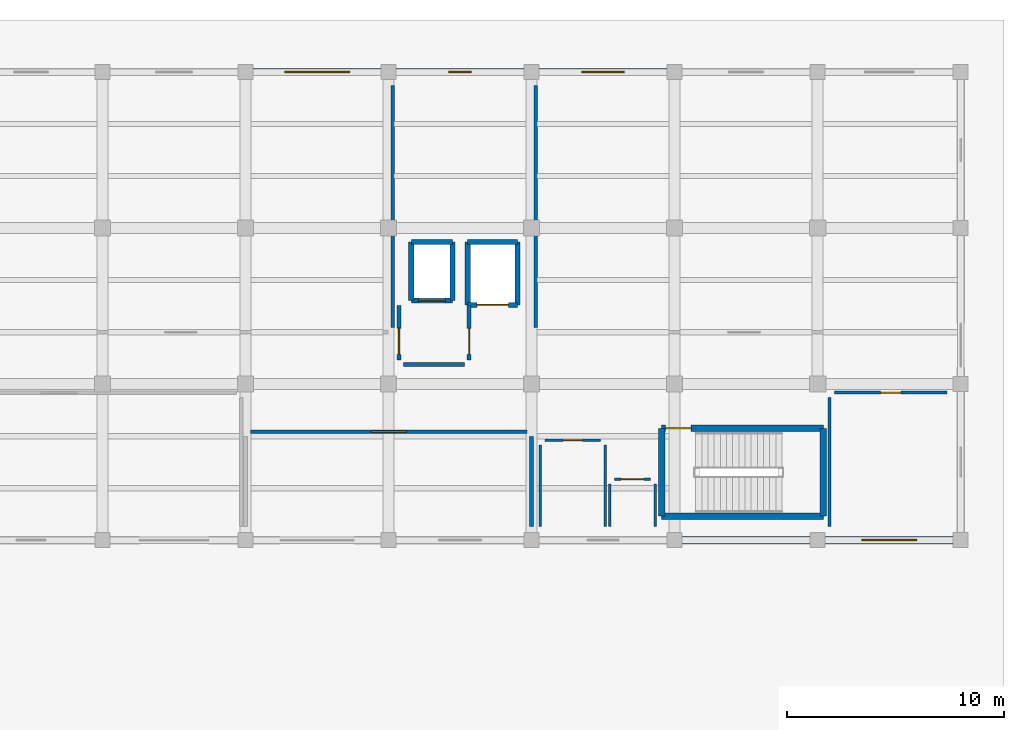
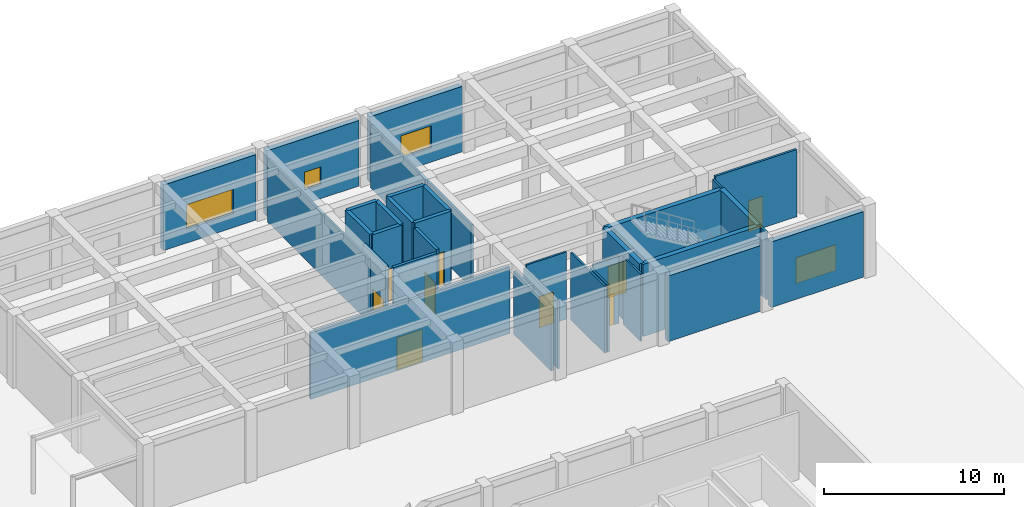
# One storey, part 48 of 57: 32 walls, 9 doors, 4 windows, 13 openings.
"""IFC4 building model written with IfcOpenShell, lengths in metres."""

from ifc_helpers import new_model, si_unit, direction, frame, frame_2d, origin, place, context, subcontext, project, spatial, rectangle, extrude, material, layer, layer_set, type_object, element, fill, save


model = new_model("IFC4")

# Units and contexts
model_context = context("Model", 3, precision=1e-05, world=origin(), true_north=direction((0.0, 1.0)))
body_context = subcontext(model_context, "Body", "Model", "MODEL_VIEW")
ifc_project = project(units=[si_unit("LENGTHUNIT", "METRE"), si_unit("AREAUNIT", "SQUARE_METRE"), si_unit("VOLUMEUNIT", "CUBIC_METRE"), si_unit("PLANEANGLEUNIT", "RADIAN"), si_unit("MASSUNIT", "GRAM", prefix="KILO")], contexts=[model_context])

# Site, building, storey
site_placement = place(None, origin())
site = spatial("IfcSite", under=ifc_project, at=site_placement, CompositionType="ELEMENT")
building_placement = place(site_placement, origin())
building = spatial("IfcBuilding", under=site, at=building_placement, Name="Kharisveld Research Institute", CompositionType="ELEMENT")
storey_placement = place(building_placement, origin())
storey = spatial("IfcBuildingStorey", under=building, at=storey_placement, Name="L00", CompositionType="ELEMENT", Elevation=0.0)

# Walls
ifc_material_1 = material(Name="Concrete C40/50", Category="concrete")
ifc_layer_1 = layer(ifc_material_1, 0.239990234375)
ifc_layer_set_1 = layer_set([ifc_layer_1], Name="WL_CORE_240")
wall_type_1 = type_object("IfcWallType", Name="WL_CORE_240", PredefinedType="SHEAR", material=ifc_layer_set_1)
wall_1_placement = place(storey_placement, frame((135.449951171875, 50.25, 0.0), z_axis=(0.0, 0.0, 1.0), x_axis=(0.0, 1.0, 0.0)))
element("IfcWall", 1, at=wall_1_placement, inside=storey, type_object=wall_type_1, Name="WL:LFT:FFL-02:L00:W", PredefinedType="SHEAR", context=body_context, shape_type="SweptSolid", body=[
    extrude(rectangle(XDim=2.699951171875, YDim=0.239990234375, at=frame_2d((1.35009765625, 0.0))), origin(), (0.0, 0.0, 1.0), 4.8798828125),
])
wall_2_placement = place(storey_placement, frame((135.449951171875, 52.949951171875, 0.0), z_axis=(0.0, 0.0, 1.0), x_axis=(1.0, 0.0, 0.0)))
element("IfcWall", 2, at=wall_2_placement, inside=storey, type_object=wall_type_1, Name="WL:LFT:FFL-02:L00:N", PredefinedType="SHEAR", context=body_context, shape_type="SweptSolid", body=[
    extrude(rectangle(XDim=1.900146484375, YDim=0.239990234375, at=frame_2d((0.9501953125, 0.0))), origin(), (0.0, 0.0, 1.0), 4.8798828125),
])
wall_3_placement = place(storey_placement, frame((137.35009765625, 52.949951171875, 0.0), z_axis=(0.0, 0.0, 1.0), x_axis=(0.0, -1.0, 0.0)))
element("IfcWall", 3, at=wall_3_placement, inside=storey, type_object=wall_type_1, Name="WL:LFT:FFL-02:L00:E", PredefinedType="SHEAR", context=body_context, shape_type="SweptSolid", body=[
    extrude(rectangle(XDim=2.699951171875, YDim=0.239990234375, at=frame_2d((1.35009765625, 0.0))), origin(), (0.0, 0.0, 1.0), 4.8798828125),
])

# Wall, opening, door
wall_4_placement = place(storey_placement, frame((137.35009765625, 50.25, 0.0), z_axis=(0.0, 0.0, 1.0), x_axis=(-1.0, 0.0, 0.0)))
wall_4 = element("IfcWall", 4, at=wall_4_placement, inside=storey, type_object=wall_type_1, Name="WL:LFT:FFL-02:L00:S", PredefinedType="SHEAR", context=body_context, shape_type="SweptSolid", body=[
    extrude(rectangle(XDim=1.900146484375, YDim=0.239990234375, at=frame_2d((0.9501953125, 0.0))), origin(), (0.0, 0.0, 1.0), 4.8798828125),
])
opening_1_placement = place(wall_4_placement, frame((0.324951171875, 0.0, 0.0)))
opening_1 = element("IfcOpeningElement", 5, at=opening_1_placement, cuts=wall_4, Name="Opening LD-02", PredefinedType="OPENING", context=body_context, shape_type="SweptSolid", body=[
    extrude(rectangle(XDim=1.25, YDim=2.199951171875, at=frame_2d((0.625, 1.10009765625))), frame((0.0, 0.1201171875, 0.0), z_axis=(0.0, -1.0, 0.0), x_axis=(1.0, 0.0, 0.0)), (0.0, 0.0, 1.0), 0.239990234375),
])
ifc_material_2 = material(Name="Flush Painted Hardwood and Anodised Aluminium", Category="wood")
door_type_1 = type_object("IfcDoorType", Name="DR_LFT_125", OperationType="SLIDING_TO_RIGHT", PredefinedType="DOOR", material=ifc_material_2)
door_1_placement = place(opening_1_placement, origin())
door_1 = element("IfcDoor", 6, at=door_1_placement, inside=storey, type_object=door_type_1, Name="FFL-02 Lift Landing Door L00", OperationType="SLIDING_TO_RIGHT", OverallHeight=2.199951171875, OverallWidth=1.25, PredefinedType="DOOR", context=body_context, shape_type="SweptSolid", body=[
    extrude(rectangle(XDim=1.25, YDim=2.199951171875, at=frame_2d((0.625, 1.10009765625))), frame((0.0, 0.02490234375, 0.0), z_axis=(0.0, -1.0, 0.0), x_axis=(1.0, 0.0, 0.0)), (0.0, 0.0, 1.0), 0.050048828125),
])
fill(opening_1, door_1)

# Walls
wall_5_placement = place(storey_placement, frame((138.050048828125, 50.050048828125, 0.0), z_axis=(0.0, 0.0, 1.0), x_axis=(0.0, 1.0, 0.0)))
element("IfcWall", 7, at=wall_5_placement, inside=storey, type_object=wall_type_1, Name="WL:LFT:GL-01:L00:W", PredefinedType="SHEAR", context=body_context, shape_type="SweptSolid", body=[
    extrude(rectangle(XDim=2.89990234375, YDim=0.239990234375, at=frame_2d((1.449951171875, 0.0))), origin(), (0.0, 0.0, 1.0), 4.8798828125),
])
wall_6_placement = place(storey_placement, frame((138.050048828125, 52.949951171875, 0.0), z_axis=(0.0, 0.0, 1.0), x_axis=(1.0, 0.0, 0.0)))
element("IfcWall", 8, at=wall_6_placement, inside=storey, type_object=wall_type_1, Name="WL:LFT:GL-01:L00:N", PredefinedType="SHEAR", context=body_context, shape_type="SweptSolid", body=[
    extrude(rectangle(XDim=2.300048828125, YDim=0.239990234375, at=frame_2d((1.14990234375, 0.0))), origin(), (0.0, 0.0, 1.0), 4.8798828125),
])
wall_7_placement = place(storey_placement, frame((140.35009765625, 52.949951171875, 0.0), z_axis=(0.0, 0.0, 1.0), x_axis=(0.0, -1.0, 0.0)))
element("IfcWall", 9, at=wall_7_placement, inside=storey, type_object=wall_type_1, Name="WL:LFT:GL-01:L00:E", PredefinedType="SHEAR", context=body_context, shape_type="SweptSolid", body=[
    extrude(rectangle(XDim=2.89990234375, YDim=0.239990234375, at=frame_2d((1.449951171875, 0.0))), origin(), (0.0, 0.0, 1.0), 4.8798828125),
])

# Wall, opening, door
wall_8_placement = place(storey_placement, frame((140.35009765625, 50.050048828125, 0.0), z_axis=(0.0, 0.0, 1.0), x_axis=(-1.0, 0.0, 0.0)))
wall_8 = element("IfcWall", 10, at=wall_8_placement, inside=storey, type_object=wall_type_1, Name="WL:LFT:GL-01:L00:S", PredefinedType="SHEAR", context=body_context, shape_type="SweptSolid", body=[
    extrude(rectangle(XDim=2.300048828125, YDim=0.239990234375, at=frame_2d((1.14990234375, 0.0))), origin(), (0.0, 0.0, 1.0), 4.8798828125),
])
opening_2_placement = place(wall_8_placement, frame((0.425048828125, 0.0, 0.0)))
opening_2 = element("IfcOpeningElement", 11, at=opening_2_placement, cuts=wall_8, Name="Opening LD-03", PredefinedType="OPENING", context=body_context, shape_type="SweptSolid", body=[
    extrude(rectangle(XDim=1.449951171875, YDim=2.300048828125, at=frame_2d((0.72509765625, 1.14990234375))), frame((0.0, 0.1201171875, 0.0), z_axis=(0.0, -1.0, 0.0), x_axis=(1.0, 0.0, 0.0)), (0.0, 0.0, 1.0), 0.239990234375),
])
ifc_material_3 = material(Name="Flush Painted Hardwood and Anodised Aluminium", Category="wood")
door_type_2 = type_object("IfcDoorType", Name="DR_LFT_145", OperationType="DOUBLE_DOOR_SLIDING", PredefinedType="DOOR", material=ifc_material_3)
door_2_placement = place(opening_2_placement, origin())
door_2 = element("IfcDoor", 12, at=door_2_placement, inside=storey, type_object=door_type_2, Name="GL-01 Lift Landing Door L00", OperationType="DOUBLE_DOOR_SLIDING", OverallHeight=2.300048828125, OverallWidth=1.449951171875, PredefinedType="DOOR", context=body_context, shape_type="SweptSolid", body=[
    extrude(rectangle(XDim=1.449951171875, YDim=2.300048828125, at=frame_2d((0.72509765625, 1.14990234375))), frame((0.0, 0.02490234375, 0.0), z_axis=(0.0, -1.0, 0.0), x_axis=(1.0, 0.0, 0.0)), (0.0, 0.0, 1.0), 0.050048828125),
])
fill(opening_2, door_2)

# Wall
ifc_material_4 = material(Name="Concrete C40/50", Category="concrete")
ifc_layer_2 = layer(ifc_material_4, 0.300048828125)
ifc_layer_set_2 = layer_set([ifc_layer_2], Name="WL_CORE_300")
wall_type_2 = type_object("IfcWallType", Name="WL_CORE_300", PredefinedType="SHEAR", material=ifc_layer_set_2)
wall_9_placement = place(storey_placement, frame((147.0, 40.300048828125, 0.0), z_axis=(0.0, 0.0, 1.0), x_axis=(0.0, 1.0, 0.0)))
element("IfcWall", 13, at=wall_9_placement, inside=storey, type_object=wall_type_2, Name="WL:STR:ST3:L00:W", PredefinedType="SHEAR", context=body_context, shape_type="SweptSolid", body=[
    extrude(rectangle(XDim=4.06005859375, YDim=0.300048828125, at=frame_2d((2.030029296875, 0.0))), origin(), (0.0, 0.0, 1.0), 4.8798828125),
])

# Wall, opening, door
wall_10_placement = place(storey_placement, frame((147.0, 44.360107421875, 0.0), z_axis=(0.0, 0.0, 1.0), x_axis=(1.0, 0.0, 0.0)))
wall_10 = element("IfcWall", 14, at=wall_10_placement, inside=storey, type_object=wall_type_2, Name="WL:STR:ST3:L00:N", PredefinedType="SHEAR", context=body_context, shape_type="SweptSolid", body=[
    extrude(rectangle(XDim=7.469970703125, YDim=0.300048828125, at=frame_2d((3.73486328125, 0.0))), origin(), (0.0, 0.0, 1.0), 4.8798828125),
])
opening_3_placement = place(wall_10_placement, frame((0.179931640625, 0.0, 0.0)))
opening_3 = element("IfcOpeningElement", 15, at=opening_3_placement, cuts=wall_10, Name="Opening DS-028", PredefinedType="OPENING", context=body_context, shape_type="SweptSolid", body=[
    extrude(rectangle(XDim=1.179931640625, YDim=2.14990234375, at=frame_2d((0.58984375, 1.074951171875))), frame((0.0, 0.14990234375, 0.0), z_axis=(0.0, -1.0, 0.0), x_axis=(1.0, 0.0, 0.0)), (0.0, 0.0, 1.0), 0.300048828125),
])
ifc_material_5 = material(Name="Flush Painted Hardwood and Anodised Aluminium", Category="wood")
door_type_3 = type_object("IfcDoorType", Name="DR_FD60_118", OperationType="NOTDEFINED", PredefinedType="DOOR", material=ifc_material_5)
door_3_placement = place(opening_3_placement, origin())
door_3 = element("IfcDoor", 16, at=door_3_placement, inside=storey, type_object=door_type_3, Name="DR:STR:ST3:L00", OperationType="SINGLE_SWING_LEFT", OverallHeight=2.14990234375, OverallWidth=1.179931640625, PredefinedType="DOOR", context=body_context, shape_type="SweptSolid", body=[
    extrude(rectangle(XDim=1.179931640625, YDim=2.14990234375, at=frame_2d((0.58984375, 1.074951171875))), frame((0.0, 0.02490234375, 0.0), z_axis=(0.0, -1.0, 0.0), x_axis=(1.0, 0.0, 0.0)), (0.0, 0.0, 1.0), 0.050048828125),
])
fill(opening_3, door_3)

# Walls
wall_11_placement = place(storey_placement, frame((154.469970703125, 44.360107421875, 0.0), z_axis=(0.0, 0.0, 1.0), x_axis=(0.0, -1.0, 0.0)))
element("IfcWall", 17, at=wall_11_placement, inside=storey, type_object=wall_type_2, Name="WL:STR:ST3:L00:E", PredefinedType="SHEAR", context=body_context, shape_type="SweptSolid", body=[
    extrude(rectangle(XDim=4.06005859375, YDim=0.300048828125, at=frame_2d((2.030029296875, 0.0))), origin(), (0.0, 0.0, 1.0), 4.8798828125),
])
wall_12_placement = place(storey_placement, frame((154.469970703125, 40.300048828125, 0.0), z_axis=(0.0, 0.0, 1.0), x_axis=(-1.0, 0.0, 0.0)))
element("IfcWall", 18, at=wall_12_placement, inside=storey, type_object=wall_type_2, Name="WL:STR:ST3:L00:S", PredefinedType="SHEAR", context=body_context, shape_type="SweptSolid", body=[
    extrude(rectangle(XDim=7.469970703125, YDim=0.300048828125, at=frame_2d((3.73486328125, 0.0))), origin(), (0.0, 0.0, 1.0), 4.8798828125),
])

# Wall, opening, window
ifc_material_6 = material(Name="Concrete C35/45", Category="concrete")
ifc_layer_3 = layer(ifc_material_6, 0.340087890625)
ifc_layer_set_3 = layer_set([ifc_layer_3], Name="WL_EXT_340")
wall_type_3 = type_object("IfcWallType", Name="WL_EXT_340", PredefinedType="SOLIDWALL", material=ifc_layer_set_3)
wall_13_placement = place(storey_placement, frame((128.14501953125, 60.800048828125, 0.0), z_axis=(0.0, 0.0, 1.0), x_axis=(1.0, 0.0, 0.0)))
wall_13 = element("IfcWall", 19, at=wall_13_placement, inside=storey, type_object=wall_type_3, Name="WL:V2:L00:N2", PredefinedType="SOLIDWALL", context=body_context, shape_type="SweptSolid", body=[
    extrude(rectangle(XDim=5.909912109375, YDim=0.340087890625, at=frame_2d((2.955078125, 0.0))), origin(), (0.0, 0.0, 1.0), 4.43505859375),
])
opening_4_placement = place(wall_13_placement, frame((1.455078125, 0.0, 0.949951171875)))
opening_4 = element("IfcOpeningElement", 20, at=opening_4_placement, cuts=wall_13, Name="Opening WN-10", PredefinedType="OPENING", context=body_context, shape_type="SweptSolid", body=[
    extrude(rectangle(XDim=3.0, YDim=1.64990234375, at=frame_2d((1.5, 0.824951171875))), frame((0.0, 0.169921875, 0.0), z_axis=(0.0, -1.0, 0.0), x_axis=(1.0, 0.0, 0.0)), (0.0, 0.0, 1.0), 0.340087890625),
])
ifc_material_7 = material(Name="Low-E Double Glazing", Category="glass")
window_type_1 = type_object("IfcWindowType", Name="WN_10", PartitioningType="TRIPLE_PANEL_VERTICAL", PredefinedType="WINDOW", material=ifc_material_7)
window_1_placement = place(opening_4_placement, origin())
window_1 = element("IfcWindow", 21, at=window_1_placement, inside=storey, type_object=window_type_1, Name="WN:V2:L00:N2", OverallHeight=1.64990234375, OverallWidth=3.0, PartitioningType="SINGLE_PANEL", PredefinedType="WINDOW", context=body_context, shape_type="SweptSolid", body=[
    extrude(rectangle(XDim=3.0, YDim=1.64990234375, at=frame_2d((1.5, 0.824951171875))), frame((0.0, 0.030029296875, 0.0), z_axis=(0.0, -1.0, 0.0), x_axis=(1.0, 0.0, 0.0)), (0.0, 0.0, 1.0), 0.06005859375),
])
fill(opening_4, window_1)

wall_14_placement = place(storey_placement, frame((134.7451171875, 60.800048828125, 0.0), z_axis=(0.0, 0.0, 1.0), x_axis=(1.0, 0.0, 0.0)))
wall_14 = element("IfcWall", 22, at=wall_14_placement, inside=storey, type_object=wall_type_3, Name="WL:V2:L00:N3", PredefinedType="SOLIDWALL", context=body_context, shape_type="SweptSolid", body=[
    extrude(rectangle(XDim=5.909912109375, YDim=0.340087890625, at=frame_2d((2.955078125, 0.0))), origin(), (0.0, 0.0, 1.0), 4.43505859375),
])
opening_5_placement = place(wall_14_placement, frame((2.429931640625, 0.0, 0.949951171875)))
opening_5 = element("IfcOpeningElement", 23, at=opening_5_placement, cuts=wall_14, Name="Opening WN-11", PredefinedType="OPENING", context=body_context, shape_type="SweptSolid", body=[
    extrude(rectangle(XDim=1.050048828125, YDim=1.199951171875, at=frame_2d((0.52490234375, 0.60009765625))), frame((0.0, 0.169921875, 0.0), z_axis=(0.0, -1.0, 0.0), x_axis=(1.0, 0.0, 0.0)), (0.0, 0.0, 1.0), 0.340087890625),
])
ifc_material_8 = material(Name="Low-E Double Glazing", Category="glass")
window_type_2 = type_object("IfcWindowType", Name="WN_11", PartitioningType="SINGLE_PANEL", PredefinedType="WINDOW", material=ifc_material_8)
window_2_placement = place(opening_5_placement, origin())
window_2 = element("IfcWindow", 24, at=window_2_placement, inside=storey, type_object=window_type_2, Name="WN:V2:L00:N3", OverallHeight=1.199951171875, OverallWidth=1.050048828125, PartitioningType="SINGLE_PANEL", PredefinedType="WINDOW", context=body_context, shape_type="SweptSolid", body=[
    extrude(rectangle(XDim=1.050048828125, YDim=1.199951171875, at=frame_2d((0.52490234375, 0.60009765625))), frame((0.0, 0.030029296875, 0.0), z_axis=(0.0, -1.0, 0.0), x_axis=(1.0, 0.0, 0.0)), (0.0, 0.0, 1.0), 0.06005859375),
])
fill(opening_5, window_2)

wall_15_placement = place(storey_placement, frame((141.344970703125, 60.800048828125, 0.0), z_axis=(0.0, 0.0, 1.0), x_axis=(1.0, 0.0, 0.0)))
wall_15 = element("IfcWall", 25, at=wall_15_placement, inside=storey, type_object=wall_type_3, Name="WL:V2:L00:N4", PredefinedType="SOLIDWALL", context=body_context, shape_type="SweptSolid", body=[
    extrude(rectangle(XDim=5.909912109375, YDim=0.340087890625, at=frame_2d((2.955078125, 0.0))), origin(), (0.0, 0.0, 1.0), 4.43505859375),
])
opening_6_placement = place(wall_15_placement, frame((1.97998046875, 0.0, 0.949951171875)))
opening_6 = element("IfcOpeningElement", 26, at=opening_6_placement, cuts=wall_15, Name="Opening WN-12", PredefinedType="OPENING", context=body_context, shape_type="SweptSolid", body=[
    extrude(rectangle(XDim=1.949951171875, YDim=1.5, at=frame_2d((0.97509765625, 0.75))), frame((0.0, 0.169921875, 0.0), z_axis=(0.0, -1.0, 0.0), x_axis=(1.0, 0.0, 0.0)), (0.0, 0.0, 1.0), 0.340087890625),
])
ifc_material_9 = material(Name="Low-E Double Glazing", Category="glass")
window_type_3 = type_object("IfcWindowType", Name="WN_12", PartitioningType="DOUBLE_PANEL_VERTICAL", PredefinedType="WINDOW", material=ifc_material_9)
window_3_placement = place(opening_6_placement, origin())
window_3 = element("IfcWindow", 27, at=window_3_placement, inside=storey, type_object=window_type_3, Name="WN:V2:L00:N4", OverallHeight=1.5, OverallWidth=1.949951171875, PartitioningType="SINGLE_PANEL", PredefinedType="WINDOW", context=body_context, shape_type="SweptSolid", body=[
    extrude(rectangle(XDim=1.949951171875, YDim=1.5, at=frame_2d((0.97509765625, 0.75))), frame((0.0, 0.030029296875, 0.0), z_axis=(0.0, -1.0, 0.0), x_axis=(1.0, 0.0, 0.0)), (0.0, 0.0, 1.0), 0.06005859375),
])
fill(opening_6, window_3)

wall_16_placement = place(storey_placement, frame((160.455078125, 39.199951171875, 0.0), z_axis=(0.0, 0.0, 1.0), x_axis=(-1.0, 0.0, 0.0)))
wall_16 = element("IfcWall", 28, at=wall_16_placement, inside=storey, type_object=wall_type_3, Name="WL:V2:L00:S7", PredefinedType="SOLIDWALL", context=body_context, shape_type="SweptSolid", body=[
    extrude(rectangle(XDim=5.91015625, YDim=0.340087890625, at=frame_2d((2.955078125, 0.0))), origin(), (0.0, 0.0, 1.0), 4.43505859375),
])
opening_7_placement = place(wall_16_placement, frame((1.679931640625, 0.0, 0.949951171875)))
opening_7 = element("IfcOpeningElement", 29, at=opening_7_placement, cuts=wall_16, Name="Opening WN-15", PredefinedType="OPENING", context=body_context, shape_type="SweptSolid", body=[
    extrude(rectangle(XDim=2.550048828125, YDim=1.75, at=frame_2d((1.27490234375, 0.875))), frame((0.0, 0.169921875, 0.0), z_axis=(0.0, -1.0, 0.0), x_axis=(1.0, 0.0, 0.0)), (0.0, 0.0, 1.0), 0.340087890625),
])
ifc_material_10 = material(Name="Low-E Double Glazing", Category="glass")
window_type_4 = type_object("IfcWindowType", Name="WN_15", PartitioningType="TRIPLE_PANEL_VERTICAL", PredefinedType="WINDOW", material=ifc_material_10)
window_4_placement = place(opening_7_placement, origin())
window_4 = element("IfcWindow", 30, at=window_4_placement, inside=storey, type_object=window_type_4, Name="WN:V2:L00:S7", OverallHeight=1.75, OverallWidth=2.550048828125, PartitioningType="SINGLE_PANEL", PredefinedType="WINDOW", context=body_context, shape_type="SweptSolid", body=[
    extrude(rectangle(XDim=2.550048828125, YDim=1.75, at=frame_2d((1.27490234375, 0.875))), frame((0.0, 0.030029296875, 0.0), z_axis=(0.0, -1.0, 0.0), x_axis=(1.0, 0.0, 0.0)), (0.0, 0.0, 1.0), 0.06005859375),
])
fill(opening_7, window_4)

# Walls
wall_17_placement = place(storey_placement, frame((153.85498046875, 39.199951171875, 0.0), z_axis=(0.0, 0.0, 1.0), x_axis=(-1.0, 0.0, 0.0)))
element("IfcWall", 31, at=wall_17_placement, inside=storey, type_object=wall_type_3, Name="WL:V2:L00:S6", PredefinedType="SOLIDWALL", context=body_context, shape_type="SweptSolid", body=[
    extrude(rectangle(XDim=5.909912109375, YDim=0.340087890625, at=frame_2d((2.955078125, 0.0))), origin(), (0.0, 0.0, 1.0), 4.43505859375),
])
ifc_material_11 = material(Name="Acoustic Drywall Partition", Category="mineral")
ifc_layer_4 = layer(ifc_material_11, 0.1650390625)
ifc_layer_set_4 = layer_set([ifc_layer_4], Name="WL_LAB_165")
wall_type_4 = type_object("IfcWallType", Name="WL_LAB_165", PredefinedType="PARTITIONING", material=ifc_layer_set_4)
for number, where, z_axis, x_axis, name in (
    (32, (134.60009765625, 49.02001953125, 0.0), (0.0, 0.0, 1.0), (0.0, 1.0, 0.0), "WL:RM:V2:L00:WL0A:E"),
    (33, (141.199951171875, 60.179931640625, 0.0), (0.0, 0.0, 1.0), (0.0, -1.0, 0.0), "WL:RM:V2:L00:WL0B:W"),
):
    element("IfcWall", number, at=place(storey_placement, frame(where, z_axis=z_axis, x_axis=x_axis)), inside=storey, type_object=wall_type_4, Name=name, PredefinedType="PARTITIONING", context=body_context, shape_type="SweptSolid", body=[
        extrude(rectangle(XDim=11.159912109375, YDim=0.1650390625, at=frame_2d((5.580078125, 0.0))), origin(), (0.0, 0.0, 1.0), 4.235107421875),
    ])
ifc_material_12 = material(Name="Masonry Blockwork", Category="masonry")
ifc_layer_5 = layer(ifc_material_12, 0.18505859375)
ifc_layer_set_5 = layer_set([ifc_layer_5], Name="WL_LOB_185")
wall_type_5 = type_object("IfcWallType", Name="WL_LOB_185", PredefinedType="SOLIDWALL", material=ifc_layer_set_5)
wall_18_placement = place(storey_placement, frame((135.10009765625, 47.300048828125, 0.0), z_axis=(0.0, 0.0, 1.0), x_axis=(1.0, 0.0, 0.0)))
element("IfcWall", 34, at=wall_18_placement, inside=storey, type_object=wall_type_5, Name="WL:RM:V2:L00:FFL:S", PredefinedType="SOLIDWALL", context=body_context, shape_type="SweptSolid", body=[
    extrude(rectangle(XDim=2.7998046875, YDim=0.18505859375, at=frame_2d((1.39990234375, 0.0))), origin(), (0.0, 0.0, 1.0), 4.550048828125),
])

# Wall, opening, door
wall_19_placement = place(storey_placement, frame((138.1201171875, 47.52001953125, 0.0), z_axis=(0.0, 0.0, 1.0), x_axis=(0.0, 1.0, 0.0)))
wall_19 = element("IfcWall", 35, at=wall_19_placement, inside=storey, type_object=wall_type_5, Name="WL:RM:V2:L00:FFL:E", PredefinedType="SOLIDWALL", context=body_context, shape_type="SweptSolid", body=[
    extrude(rectangle(XDim=2.510009765625, YDim=0.18505859375, at=frame_2d((1.2548828125, 0.0))), origin(), (0.0, 0.0, 1.0), 4.550048828125),
])
opening_8_placement = place(wall_19_placement, frame((0.25, 0.0, 0.0)))
opening_8 = element("IfcOpeningElement", 36, at=opening_8_placement, cuts=wall_19, Name="Opening DI-184", PredefinedType="OPENING", context=body_context, shape_type="SweptSolid", body=[
    extrude(rectangle(XDim=1.199951171875, YDim=2.14990234375, at=frame_2d((0.60009765625, 1.074951171875))), frame((0.0, 0.092529296875, 0.0), z_axis=(0.0, -1.0, 0.0), x_axis=(1.0, 0.0, 0.0)), (0.0, 0.0, 1.0), 0.18505859375),
])
ifc_material_13 = material(Name="Flush Painted Hardwood and Anodised Aluminium", Category="wood")
door_type_4 = type_object("IfcDoorType", Name="DR_FD120_120", OperationType="NOTDEFINED", PredefinedType="DOOR", material=ifc_material_13)
door_4_placement = place(opening_8_placement, origin())
door_4 = element("IfcDoor", 37, at=door_4_placement, inside=storey, type_object=door_type_4, Name="DR:RM:V2:L00:FFL:E", OperationType="SINGLE_SWING_RIGHT", OverallHeight=2.14990234375, OverallWidth=1.199951171875, PredefinedType="DOOR", context=body_context, shape_type="SweptSolid", body=[
    extrude(rectangle(XDim=1.199951171875, YDim=2.14990234375, at=frame_2d((0.60009765625, 1.074951171875))), frame((0.0, 0.02490234375, 0.0), z_axis=(0.0, -1.0, 0.0), x_axis=(1.0, 0.0, 0.0)), (0.0, 0.0, 1.0), 0.050048828125),
])
fill(opening_8, door_4)

wall_20_placement = place(storey_placement, frame((134.8798828125, 50.030029296875, 0.0), z_axis=(0.0, 0.0, 1.0), x_axis=(0.0, -1.0, 0.0)))
wall_20 = element("IfcWall", 38, at=wall_20_placement, inside=storey, type_object=wall_type_5, Name="WL:RM:V2:L00:FFL:W", PredefinedType="SOLIDWALL", context=body_context, shape_type="SweptSolid", body=[
    extrude(rectangle(XDim=2.510009765625, YDim=0.18505859375, at=frame_2d((1.2548828125, 0.0))), origin(), (0.0, 0.0, 1.0), 4.550048828125),
])
opening_9_placement = place(wall_20_placement, frame((1.06005859375, 0.0, 0.0)))
opening_9 = element("IfcOpeningElement", 39, at=opening_9_placement, cuts=wall_20, Name="Opening DI-185", PredefinedType="OPENING", context=body_context, shape_type="SweptSolid", body=[
    extrude(rectangle(XDim=1.199951171875, YDim=2.14990234375, at=frame_2d((0.60009765625, 1.074951171875))), frame((0.0, 0.092529296875, 0.0), z_axis=(0.0, -1.0, 0.0), x_axis=(1.0, 0.0, 0.0)), (0.0, 0.0, 1.0), 0.18505859375),
])
door_5_placement = place(opening_9_placement, origin())
door_5 = element("IfcDoor", 40, at=door_5_placement, inside=storey, type_object=door_type_4, Name="DR:RM:V2:L00:FFL:W", OperationType="SINGLE_SWING_LEFT", OverallHeight=2.14990234375, OverallWidth=1.199951171875, PredefinedType="DOOR", context=body_context, shape_type="SweptSolid", body=[
    extrude(rectangle(XDim=1.199951171875, YDim=2.14990234375, at=frame_2d((0.60009765625, 1.074951171875))), frame((0.0, 0.02490234375, 0.0), z_axis=(0.0, -1.0, 0.0), x_axis=(1.0, 0.0, 0.0)), (0.0, 0.0, 1.0), 0.050048828125),
])
fill(opening_9, door_5)

ifc_material_14 = material(Name="Insulated Stud Partition", Category="mineral")
ifc_layer_6 = layer(ifc_material_14, 0.139892578125)
ifc_layer_set_6 = layer_set([ifc_layer_6], Name="WL_OFF_140")
wall_type_6 = type_object("IfcWallType", Name="WL_OFF_140", PredefinedType="PARTITIONING", material=ifc_layer_set_6)
wall_21_placement = place(storey_placement, frame((160.179931640625, 46.0, 0.0), z_axis=(0.0, 0.0, 1.0), x_axis=(-1.0, 0.0, 0.0)))
wall_21 = element("IfcWall", 41, at=wall_21_placement, inside=storey, type_object=wall_type_6, Name="WL:RM:V2:L00:WU0W:N", PredefinedType="PARTITIONING", context=body_context, shape_type="SweptSolid", body=[
    extrude(rectangle(XDim=5.2099609375, YDim=0.139892578125, at=frame_2d((2.60498046875, 0.0))), origin(), (0.0, 0.0, 1.0), 4.550048828125),
])
opening_10_placement = place(wall_21_placement, frame((2.135009765625, 0.0, 0.0)))
opening_10 = element("IfcOpeningElement", 42, at=opening_10_placement, cuts=wall_21, Name="Opening DI-192", PredefinedType="OPENING", context=body_context, shape_type="SweptSolid", body=[
    extrude(rectangle(XDim=0.93994140625, YDim=2.1201171875, at=frame_2d((0.469970703125, 1.06005859375))), frame((0.0, 0.06982421875, 0.0), z_axis=(0.0, -1.0, 0.0), x_axis=(1.0, 0.0, 0.0)), (0.0, 0.0, 1.0), 0.139892578125),
])
ifc_material_15 = material(Name="Flush Painted Hardwood and Anodised Aluminium", Category="wood")
door_type_5 = type_object("IfcDoorType", Name="DR_OFF_094", OperationType="NOTDEFINED", PredefinedType="DOOR", material=ifc_material_15)
door_6_placement = place(opening_10_placement, origin())
door_6 = element("IfcDoor", 43, at=door_6_placement, inside=storey, type_object=door_type_5, Name="DR:RM:V2:L00:WU0W:N", OperationType="SINGLE_SWING_RIGHT", OverallHeight=2.1201171875, OverallWidth=0.93994140625, PredefinedType="DOOR", context=body_context, shape_type="SweptSolid", body=[
    extrude(rectangle(XDim=0.93994140625, YDim=2.1201171875, at=frame_2d((0.469970703125, 1.06005859375))), frame((0.0, 0.02490234375, 0.0), z_axis=(0.0, -1.0, 0.0), x_axis=(1.0, 0.0, 0.0)), (0.0, 0.0, 1.0), 0.050048828125),
])
fill(opening_10, door_6)

# Walls
wall_22_placement = place(storey_placement, frame((154.75, 45.780029296875, 0.0), z_axis=(0.0, 0.0, 1.0), x_axis=(0.0, -1.0, 0.0)))
element("IfcWall", 44, at=wall_22_placement, inside=storey, type_object=wall_type_6, Name="WL:RM:V2:L00:WU0W:W", PredefinedType="PARTITIONING", context=body_context, shape_type="SweptSolid", body=[
    extrude(rectangle(XDim=5.9599609375, YDim=0.139892578125, at=frame_2d((2.97998046875, 0.0))), origin(), (0.0, 0.0, 1.0), 4.550048828125),
])
ifc_material_16 = material(Name="Masonry Blockwork", Category="masonry")
ifc_layer_7 = layer(ifc_material_16, 0.175048828125)
ifc_layer_set_7 = layer_set([ifc_layer_7], Name="WL_STR_175")
wall_type_7 = type_object("IfcWallType", Name="WL_STR_175", PredefinedType="SOLIDWALL", material=ifc_layer_set_7)
wall_23_placement = place(storey_placement, frame((141.0, 39.820068359375, 0.0), z_axis=(0.0, 0.0, 1.0), x_axis=(0.0, 1.0, 0.0)))
element("IfcWall", 45, at=wall_23_placement, inside=storey, type_object=wall_type_7, Name="WL:RM:V2:L00:DCK:E", PredefinedType="SOLIDWALL", context=body_context, shape_type="SweptSolid", body=[
    extrude(rectangle(XDim=4.159912109375, YDim=0.175048828125, at=frame_2d((2.080078125, 0.0))), origin(), (0.0, 0.0, 1.0), 4.235107421875),
])

# Wall, opening, door
wall_24_placement = place(storey_placement, frame((140.780029296875, 44.199951171875, 0.0), z_axis=(0.0, 0.0, 1.0), x_axis=(-1.0, 0.0, 0.0)))
wall_24 = element("IfcWall", 46, at=wall_24_placement, inside=storey, type_object=wall_type_7, Name="WL:RM:V2:L00:DCK:N", PredefinedType="SOLIDWALL", context=body_context, shape_type="SweptSolid", body=[
    extrude(rectangle(XDim=12.760009765625, YDim=0.175048828125, at=frame_2d((6.3798828125, 0.0))), origin(), (0.0, 0.0, 1.0), 4.485107421875),
])
opening_11_placement = place(wall_24_placement, frame((5.56005859375, 0.0, 0.0)))
opening_11 = element("IfcOpeningElement", 47, at=opening_11_placement, cuts=wall_24, Name="Opening DI-191", PredefinedType="OPENING", context=body_context, shape_type="SweptSolid", body=[
    extrude(rectangle(XDim=1.639892578125, YDim=2.199951171875, at=frame_2d((0.81982421875, 1.10009765625))), frame((0.0, 0.08740234375, 0.0), z_axis=(0.0, -1.0, 0.0), x_axis=(1.0, 0.0, 0.0)), (0.0, 0.0, 1.0), 0.175048828125),
])
ifc_material_17 = material(Name="Flush Painted Hardwood and Anodised Aluminium", Category="wood")
door_type_6 = type_object("IfcDoorType", Name="DR_FD60_164", OperationType="DOUBLE_DOOR_SINGLE_SWING", PredefinedType="DOOR", material=ifc_material_17)
door_7_placement = place(opening_11_placement, origin())
door_7 = element("IfcDoor", 48, at=door_7_placement, inside=storey, type_object=door_type_6, Name="DR:RM:V2:L00:DCK:N", OperationType="DOUBLE_DOOR_SINGLE_SWING", OverallHeight=2.199951171875, OverallWidth=1.639892578125, PredefinedType="DOOR", context=body_context, shape_type="SweptSolid", body=[
    extrude(rectangle(XDim=1.639892578125, YDim=2.199951171875, at=frame_2d((0.81982421875, 1.10009765625))), frame((0.0, 0.02490234375, 0.0), z_axis=(0.0, -1.0, 0.0), x_axis=(1.0, 0.0, 0.0)), (0.0, 0.0, 1.0), 0.050048828125),
])
fill(opening_11, door_7)

# Wall
ifc_material_18 = material(Name="Moisture-Resistant Partition", Category="mineral")
ifc_layer_8 = layer(ifc_material_18, 0.114990234375)
ifc_layer_set_8 = layer_set([ifc_layer_8], Name="WL_WC_115")
wall_type_8 = type_object("IfcWallType", Name="WL_WC_115", PredefinedType="PARTITIONING", material=ifc_layer_set_8)
wall_25_placement = place(storey_placement, frame((144.39990234375, 39.820068359375, 0.0), z_axis=(0.0, 0.0, 1.0), x_axis=(0.0, 1.0, 0.0)))
element("IfcWall", 49, at=wall_25_placement, inside=storey, type_object=wall_type_8, Name="WL:RM:V2:L00:WCM:E", PredefinedType="PARTITIONING", context=body_context, shape_type="SweptSolid", body=[
    extrude(rectangle(XDim=3.760009765625, YDim=0.114990234375, at=frame_2d((1.8798828125, 0.0))), origin(), (0.0, 0.0, 1.0), 4.550048828125),
])

# Wall, opening, door
wall_26_placement = place(storey_placement, frame((144.179931640625, 43.800048828125, 0.0), z_axis=(0.0, 0.0, 1.0), x_axis=(-1.0, 0.0, 0.0)))
wall_26 = element("IfcWall", 50, at=wall_26_placement, inside=storey, type_object=wall_type_8, Name="WL:RM:V2:L00:WCM:N", PredefinedType="PARTITIONING", context=body_context, shape_type="SweptSolid", body=[
    extrude(rectangle(XDim=2.559814453125, YDim=0.114990234375, at=frame_2d((1.27978515625, 0.0))), origin(), (0.0, 0.0, 1.0), 4.550048828125),
])
opening_12_placement = place(wall_26_placement, frame((0.830078125, 0.0, 0.0)))
opening_12 = element("IfcOpeningElement", 51, at=opening_12_placement, cuts=wall_26, Name="Opening DI-186", PredefinedType="OPENING", context=body_context, shape_type="SweptSolid", body=[
    extrude(rectangle(XDim=0.89990234375, YDim=2.10009765625, at=frame_2d((0.449951171875, 1.050048828125))), frame((0.0, 0.0576171875, 0.0), z_axis=(0.0, -1.0, 0.0), x_axis=(1.0, 0.0, 0.0)), (0.0, 0.0, 1.0), 0.114990234375),
])
ifc_material_19 = material(Name="Flush Painted Hardwood and Anodised Aluminium", Category="wood")
door_type_7 = type_object("IfcDoorType", Name="DR_WC_090", OperationType="NOTDEFINED", PredefinedType="DOOR", material=ifc_material_19)
door_8_placement = place(opening_12_placement, origin())
door_8 = element("IfcDoor", 52, at=door_8_placement, inside=storey, type_object=door_type_7, Name="DR:RM:V2:L00:WCM:N", OperationType="SINGLE_SWING_RIGHT", OverallHeight=2.10009765625, OverallWidth=0.89990234375, PredefinedType="DOOR", context=body_context, shape_type="SweptSolid", body=[
    extrude(rectangle(XDim=0.89990234375, YDim=2.10009765625, at=frame_2d((0.449951171875, 1.050048828125))), frame((0.0, 0.02490234375, 0.0), z_axis=(0.0, -1.0, 0.0), x_axis=(1.0, 0.0, 0.0)), (0.0, 0.0, 1.0), 0.050048828125),
])
fill(opening_12, door_8)

# Walls
wall_27_placement = place(storey_placement, frame((141.39990234375, 43.580078125, 0.0), z_axis=(0.0, 0.0, 1.0), x_axis=(0.0, -1.0, 0.0)))
element("IfcWall", 53, at=wall_27_placement, inside=storey, type_object=wall_type_8, Name="WL:RM:V2:L00:WCM:W", PredefinedType="PARTITIONING", context=body_context, shape_type="SweptSolid", body=[
    extrude(rectangle(XDim=3.760009765625, YDim=0.114990234375, at=frame_2d((1.8798828125, 0.0))), origin(), (0.0, 0.0, 1.0), 4.550048828125),
])
wall_28_placement = place(storey_placement, frame((146.699951171875, 39.820068359375, 0.0), z_axis=(0.0, 0.0, 1.0), x_axis=(0.0, 1.0, 0.0)))
element("IfcWall", 54, at=wall_28_placement, inside=storey, type_object=wall_type_8, Name="WL:RM:V2:L00:WCA:E", PredefinedType="PARTITIONING", context=body_context, shape_type="SweptSolid", body=[
    extrude(rectangle(XDim=1.9599609375, YDim=0.114990234375, at=frame_2d((0.97998046875, 0.0))), origin(), (0.0, 0.0, 1.0), 4.550048828125),
])

# Wall, opening, door
wall_29_placement = place(storey_placement, frame((146.47998046875, 42.0, 0.0), z_axis=(0.0, 0.0, 1.0), x_axis=(-1.0, 0.0, 0.0)))
wall_29 = element("IfcWall", 55, at=wall_29_placement, inside=storey, type_object=wall_type_8, Name="WL:RM:V2:L00:WCA:N", PredefinedType="PARTITIONING", context=body_context, shape_type="SweptSolid", body=[
    extrude(rectangle(XDim=1.659912109375, YDim=0.114990234375, at=frame_2d((0.830078125, 0.0))), origin(), (0.0, 0.0, 1.0), 4.550048828125),
])
opening_13_placement = place(wall_29_placement, frame((0.300048828125, 0.0, 0.0)))
opening_13 = element("IfcOpeningElement", 56, at=opening_13_placement, cuts=wall_29, Name="Opening DI-187", PredefinedType="OPENING", context=body_context, shape_type="SweptSolid", body=[
    extrude(rectangle(XDim=1.06005859375, YDim=2.1201171875, at=frame_2d((0.530029296875, 1.06005859375))), frame((0.0, 0.0576171875, 0.0), z_axis=(0.0, -1.0, 0.0), x_axis=(1.0, 0.0, 0.0)), (0.0, 0.0, 1.0), 0.114990234375),
])
ifc_material_20 = material(Name="Flush Painted Hardwood and Anodised Aluminium", Category="wood")
door_type_8 = type_object("IfcDoorType", Name="DR_WCA_106", OperationType="NOTDEFINED", PredefinedType="DOOR", material=ifc_material_20)
door_9_placement = place(opening_13_placement, origin())
door_9 = element("IfcDoor", 57, at=door_9_placement, inside=storey, type_object=door_type_8, Name="DR:RM:V2:L00:WCA:N", OperationType="SINGLE_SWING_LEFT", OverallHeight=2.1201171875, OverallWidth=1.06005859375, PredefinedType="DOOR", context=body_context, shape_type="SweptSolid", body=[
    extrude(rectangle(XDim=1.06005859375, YDim=2.1201171875, at=frame_2d((0.530029296875, 1.06005859375))), frame((0.0, 0.02490234375, 0.0), z_axis=(0.0, -1.0, 0.0), x_axis=(1.0, 0.0, 0.0)), (0.0, 0.0, 1.0), 0.050048828125),
])
fill(opening_13, door_9)

# Wall
wall_30_placement = place(storey_placement, frame((144.60009765625, 41.780029296875, 0.0), z_axis=(0.0, 0.0, 1.0), x_axis=(0.0, -1.0, 0.0)))
element("IfcWall", 58, at=wall_30_placement, inside=storey, type_object=wall_type_8, Name="WL:RM:V2:L00:WCA:W", PredefinedType="PARTITIONING", context=body_context, shape_type="SweptSolid", body=[
    extrude(rectangle(XDim=1.9599609375, YDim=0.114990234375, at=frame_2d((0.97998046875, 0.0))), origin(), (0.0, 0.0, 1.0), 4.550048828125),
])

save(model, "model.ifc")
